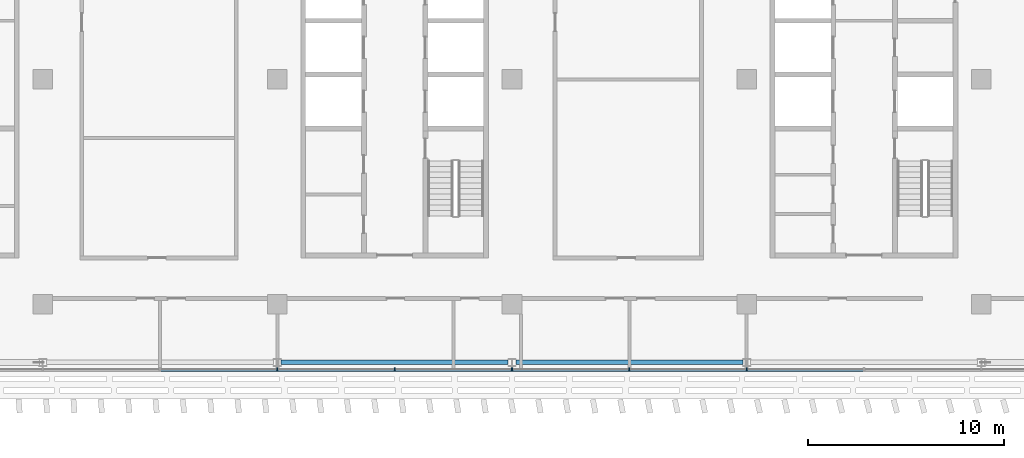
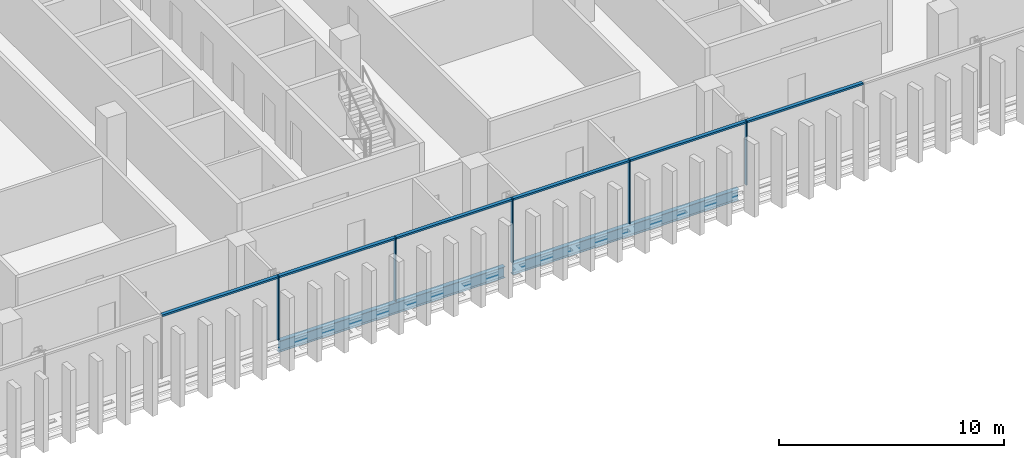
# One storey, part 8 of 35: 11 members, 2 beams, 1 element without a shape of its own.
"""IFC4 building model written with IfcOpenShell, lengths in metres."""

from ifc_helpers import new_model, si_unit, direction, frame, origin, origin_2d, place, context, subcontext, project, spatial, rectangle, i_section, extrude, material, material_profile, profile_set, type_object, element, aggregate, save


model = new_model("IFC4")

# Units and contexts
model_context = context("Model", 3, precision=1e-05, world=origin(), true_north=direction((0.0, 1.0)))
body_context = subcontext(model_context, "Body", "Model", "MODEL_VIEW")
ifc_project = project(units=[si_unit("LENGTHUNIT", "METRE"), si_unit("AREAUNIT", "SQUARE_METRE"), si_unit("VOLUMEUNIT", "CUBIC_METRE"), si_unit("PLANEANGLEUNIT", "RADIAN"), si_unit("MASSUNIT", "GRAM", prefix="KILO")], contexts=[model_context])

# Site, building, storey
site_placement = place(None, origin())
site = spatial("IfcSite", under=ifc_project, at=site_placement, CompositionType="ELEMENT")
building_placement = place(site_placement, origin())
building = spatial("IfcBuilding", under=site, at=building_placement, Name="Mahtab Terrace Research Tower", CompositionType="ELEMENT")
storey_placement = place(building_placement, frame((0.0, 0.0, 251.39990234375)))
storey = spatial("IfcBuildingStorey", under=building, at=storey_placement, Name="L61", CompositionType="ELEMENT", Elevation=251.39990234375)

# Curtain wall, members
ifc_material_1 = material(Name="Office ribbon curtain wall")
curtain_wall_type = type_object("IfcCurtainWallType", Name="Office ribbon curtain wall", PredefinedType="NOTDEFINED", material=ifc_material_1)
curtain_wall_placement = place(storey_placement, origin())
curtain_wall = element("IfcCurtainWall", 1, at=curtain_wall_placement, inside=storey, type_object=curtain_wall_type, Name="EN.L61.13.17", PredefinedType="NOTDEFINED")
ifc_material_2 = material(Name="Natural anodised aluminium", Category="aluminium")
ifc_material_profile_1 = material_profile(ifc_material_2, rectangle(XDim=0.179931640625, YDim=0.06005859375, at=origin_2d()), Name="MULLION 60x180")
ifc_profile_set_1 = profile_set([ifc_material_profile_1], Name="Natural anodised aluminium")
member_type_1 = type_object("IfcMemberType", Name="Office ribbon curtain wall mullion", PredefinedType="MULLION", material=ifc_profile_set_1)
member_1_placement = place(storey_placement, frame((-6.0, -14.833984375, 0.0), z_axis=(0.0, 0.0, 1.0), x_axis=(0.0, 1.0, 0.0)))
member_1 = element("IfcMember", 2, at=member_1_placement, type_object=member_type_1, Name="CWO-7 mullion 6", PredefinedType="MULLION", context=body_context, shape_type="SweptSolid", body=[
    extrude(rectangle(XDim=0.179931640625, YDim=0.06005859375, at=origin_2d()), origin(), (0.0, 0.0, 1.0), 3.460205078125),
])
member_2_placement = place(storey_placement, frame((0.0, -14.833984375, 0.0), z_axis=(0.0, 0.0, 1.0), x_axis=(0.0, 1.0, 0.0)))
member_2 = element("IfcMember", 3, at=member_2_placement, type_object=member_type_1, Name="CWO-7 mullion 7", PredefinedType="MULLION", context=body_context, shape_type="SweptSolid", body=[
    extrude(rectangle(XDim=0.179931640625, YDim=0.06005859375, at=origin_2d()), origin(), (0.0, 0.0, 1.0), 3.460205078125),
])
member_3_placement = place(storey_placement, frame((6.0, -14.833984375, 0.0), z_axis=(0.0, 0.0, 1.0), x_axis=(0.0, 1.0, 0.0)))
member_3 = element("IfcMember", 4, at=member_3_placement, type_object=member_type_1, Name="CWO-7 mullion 8", PredefinedType="MULLION", context=body_context, shape_type="SweptSolid", body=[
    extrude(rectangle(XDim=0.179931640625, YDim=0.06005859375, at=origin_2d()), origin(), (0.0, 0.0, 1.0), 3.460205078125),
])
member_4_placement = place(storey_placement, frame((12.0, -14.833984375, 0.0), z_axis=(0.0, 0.0, 1.0), x_axis=(0.0, 1.0, 0.0)))
member_4 = element("IfcMember", 5, at=member_4_placement, type_object=member_type_1, Name="CWO-7 mullion 9", PredefinedType="MULLION", context=body_context, shape_type="SweptSolid", body=[
    extrude(rectangle(XDim=0.179931640625, YDim=0.06005859375, at=origin_2d()), origin(), (0.0, 0.0, 1.0), 3.460205078125),
])
member_5_placement = place(storey_placement, frame((18.0, -14.833984375, 0.0), z_axis=(0.0, 0.0, 1.0), x_axis=(0.0, 1.0, 0.0)))
member_5 = element("IfcMember", 6, at=member_5_placement, type_object=member_type_1, Name="CWO-7 mullion 10", PredefinedType="MULLION", context=body_context, shape_type="SweptSolid", body=[
    extrude(rectangle(XDim=0.179931640625, YDim=0.06005859375, at=origin_2d()), origin(), (0.0, 0.0, 1.0), 3.460205078125),
])
ifc_material_profile_2 = material_profile(ifc_material_2, rectangle(XDim=0.179931640625, YDim=0.10009765625, at=origin_2d()), Name="TRANSOM 100x180")
ifc_profile_set_2 = profile_set([ifc_material_profile_2], Name="Natural anodised aluminium")
member_type_2 = type_object("IfcMemberType", Name="Office ribbon curtain wall transom", PredefinedType="USERDEFINED", material=ifc_profile_set_2)
member_6_placement = place(storey_placement, frame((-11.969970703125, -14.833984375, 3.41015625), z_axis=(1.0, 0.0, 0.0), x_axis=(0.0, 1.0, 0.0)))
member_6 = element("IfcMember", 7, at=member_6_placement, type_object=member_type_2, Name="CWO-7 transom 5", ObjectType="TRANSOM", PredefinedType="USERDEFINED", context=body_context, shape_type="SweptSolid", body=[
    extrude(rectangle(XDim=0.179931640625, YDim=0.10009765625, at=origin_2d()), origin(), (0.0, 0.0, 1.0), 5.93994140625),
])
member_7_placement = place(storey_placement, frame((-5.969970703125, -14.833984375, 3.41015625), z_axis=(1.0, 0.0, 0.0), x_axis=(0.0, 1.0, 0.0)))
member_7 = element("IfcMember", 8, at=member_7_placement, type_object=member_type_2, Name="CWO-7 transom 6", ObjectType="TRANSOM", PredefinedType="USERDEFINED", context=body_context, shape_type="SweptSolid", body=[
    extrude(rectangle(XDim=0.179931640625, YDim=0.10009765625, at=origin_2d()), origin(), (0.0, 0.0, 1.0), 5.93994140625),
])
member_8_placement = place(storey_placement, frame((0.030029296875, -14.833984375, 3.41015625), z_axis=(1.0, 0.0, 0.0), x_axis=(0.0, 1.0, 0.0)))
member_8 = element("IfcMember", 9, at=member_8_placement, type_object=member_type_2, Name="CWO-7 transom 7", ObjectType="TRANSOM", PredefinedType="USERDEFINED", context=body_context, shape_type="SweptSolid", body=[
    extrude(rectangle(XDim=0.179931640625, YDim=0.10009765625, at=origin_2d()), origin(), (0.0, 0.0, 1.0), 5.93994140625),
])
member_9_placement = place(storey_placement, frame((6.030029296875, -14.833984375, 3.41015625), z_axis=(1.0, 0.0, 0.0), x_axis=(0.0, 1.0, 0.0)))
member_9 = element("IfcMember", 10, at=member_9_placement, type_object=member_type_2, Name="CWO-7 transom 8", ObjectType="TRANSOM", PredefinedType="USERDEFINED", context=body_context, shape_type="SweptSolid", body=[
    extrude(rectangle(XDim=0.179931640625, YDim=0.10009765625, at=origin_2d()), origin(), (0.0, 0.0, 1.0), 5.93994140625),
])
member_10_placement = place(storey_placement, frame((12.030029296875, -14.833984375, 3.41015625), z_axis=(1.0, 0.0, 0.0), x_axis=(0.0, 1.0, 0.0)))
member_10 = element("IfcMember", 11, at=member_10_placement, type_object=member_type_2, Name="CWO-7 transom 9", ObjectType="TRANSOM", PredefinedType="USERDEFINED", context=body_context, shape_type="SweptSolid", body=[
    extrude(rectangle(XDim=0.179931640625, YDim=0.10009765625, at=origin_2d()), origin(), (0.0, 0.0, 1.0), 5.93994140625),
])
member_11_placement = place(storey_placement, frame((18.030029296875, -14.833984375, 3.41015625), z_axis=(1.0, 0.0, 0.0), x_axis=(0.0, 1.0, 0.0)))
member_11 = element("IfcMember", 12, at=member_11_placement, type_object=member_type_2, Name="CWO-7 transom 10", ObjectType="TRANSOM", PredefinedType="USERDEFINED", context=body_context, shape_type="SweptSolid", body=[
    extrude(rectangle(XDim=0.179931640625, YDim=0.10009765625, at=origin_2d()), origin(), (0.0, 0.0, 1.0), 5.93994140625),
])
aggregate(curtain_wall, [member_1, member_2, member_3, member_4, member_5, member_6, member_7, member_8, member_9, member_10, member_11])

# Beams
ifc_material_3 = material(Name="Steel ASTM A992 Gr 50", Category="steel")
ifc_material_profile_3 = material_profile(ifc_material_3, i_section(OverallWidth=0.228271484375, OverallDepth=0.607177734375, WebThickness=0.01123046875, FlangeThickness=0.017333984375, at=origin_2d()), Name="W24X76")
ifc_profile_set_3 = profile_set([ifc_material_profile_3], Name="Steel ASTM A992 Gr 50")
beam_type = type_object("IfcBeamType", Name="W24x76 beam BS2476", PredefinedType="BEAM", material=ifc_profile_set_3)
for number, where, z_axis, x_axis, name in (
    (13, (-5.800537109375, -14.472900390625, -0.6435546875), (1.0, 0.0, 0.0), (0.0, 1.0, 0.0), "Spandrel beam L61 15"),
    (14, (6.199462890625, -14.472900390625, -0.6435546875), (1.0, 0.0, 0.0), (0.0, 1.0, 0.0), "Spandrel beam L61 16"),
):
    element("IfcBeam", number, at=place(storey_placement, frame(where, z_axis=z_axis, x_axis=x_axis)), inside=storey, type_object=beam_type, Name=name, PredefinedType="BEAM", context=body_context, shape_type="SweptSolid", body=[
        extrude(i_section(OverallWidth=0.228271484375, OverallDepth=0.607177734375, WebThickness=0.01123046875, FlangeThickness=0.017333984375, at=origin_2d()), origin(), (0.0, 0.0, 1.0), 11.60107421875),
    ])

save(model, "model.ifc")
